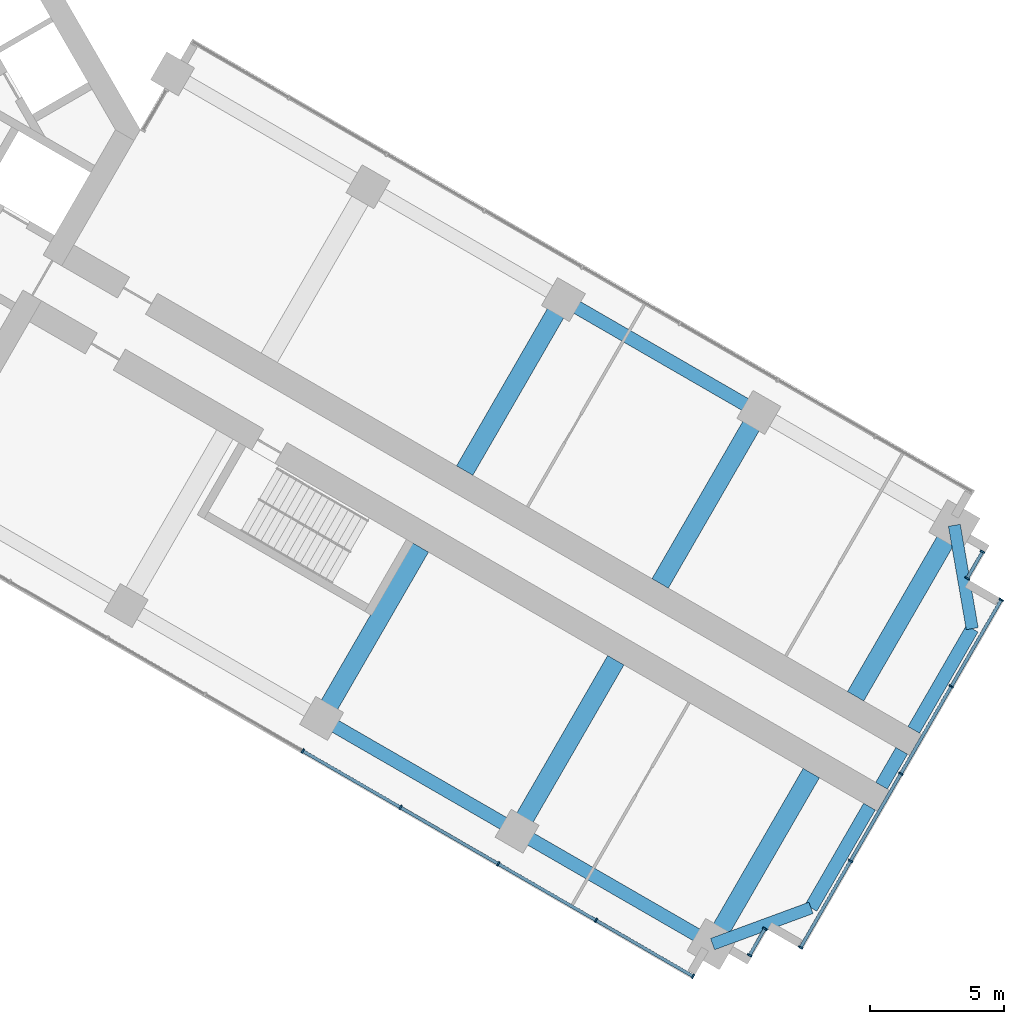
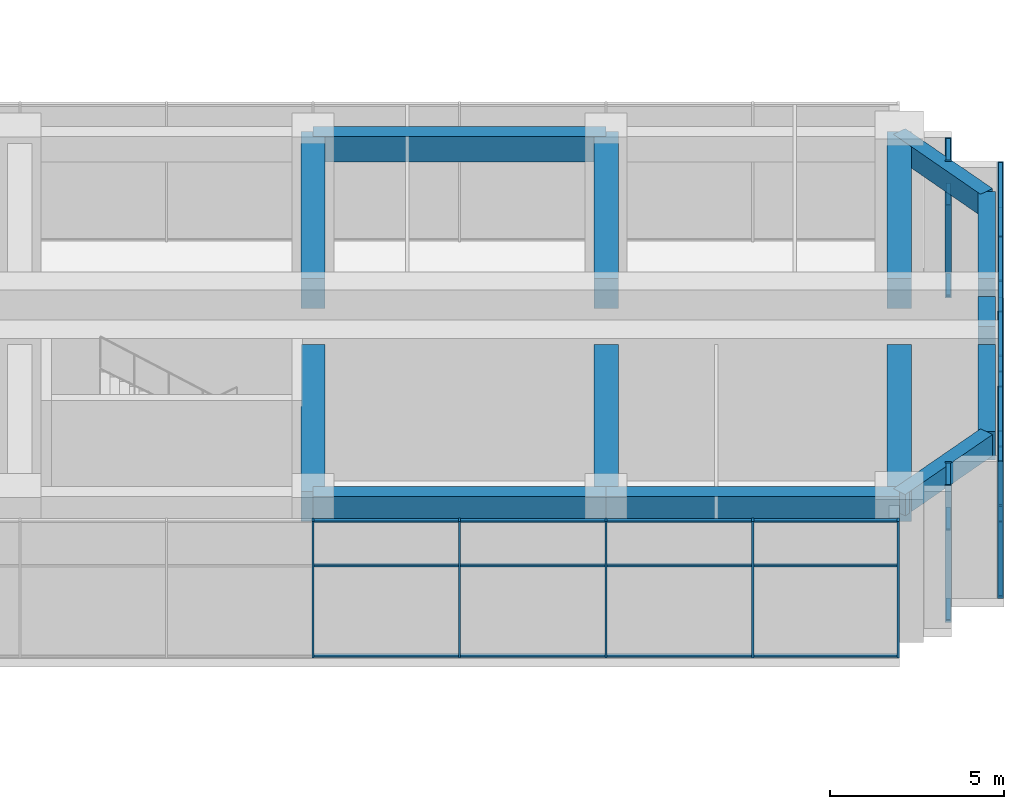
# One storey, part 9 of 20: 44 members, 14 beams, 4 elements without a shape of their own.
"""IFC4 building model written with IfcOpenShell, lengths in metres."""

import ifcopenshell
import ifcopenshell.guid

model = None  # the IFC model being written
_history = None  # IfcOwnerHistory: only IFC2X3 demands one
_inside = {}  # id of a spatial element -> (the spatial element, [elements in it])
_under = {}  # id of a project, library or spatial element -> (it, [spatial elements below it])
_declared = {}  # id of a project -> (the project, [libraries it declares])
_typed = {}  # id of a type object -> (the type object, [elements of that type])
_made_of = {}  # id of a material, layer set ... -> (it, [elements and type objects made of it])


def new_model(schema):
    """Start an empty IFC model of exactly this schema.

    Asked for "IFC4X3", IfcOpenShell would pick the latest addendum, in which some entities
    have other attributes; the version numbers below select the first issue.
    IFC2X3 requires an IfcOwnerHistory on every rooted entity: one is made here for all.
    """
    global model, _history
    if schema == "IFC4X3":
        model = ifcopenshell.file(schema_version=(4, 3, 0, 0))
    else:
        model = ifcopenshell.file(schema=schema)
    _inside.clear()
    _under.clear()
    _declared.clear()
    _typed.clear()
    _made_of.clear()
    _history = None
    if model.schema == "IFC2X3":
        org = make("IfcOrganization", Name="unknown")
        user = make(
            "IfcPersonAndOrganization",
            ThePerson=make("IfcPerson", FamilyName="unknown"),
            TheOrganization=org,
        )
        app = make(
            "IfcApplication",
            ApplicationDeveloper=org,
            Version="unknown",
            ApplicationFullName="unknown",
            ApplicationIdentifier="unknown",
        )
        _history = make(
            "IfcOwnerHistory",
            OwningUser=user,
            OwningApplication=app,
            ChangeAction="ADDED",
            CreationDate=0,
        )
    return model


def make(cls, **values):
    """One entity of the class cls with the attributes given. An attribute that is None is left unset."""
    return model.create_entity(
        cls, **{name: value for name, value in values.items() if value is not None}
    )


def rooted(cls, **values):
    """An entity with a GlobalId (a new one), such as an element, a storey or a relation."""
    return make(cls, GlobalId=ifcopenshell.guid.new(), OwnerHistory=_history, **values)


def si_unit(unit_type, name, prefix=None):
    """IfcSIUnit, for example si_unit("LENGTHUNIT", "METRE", prefix="MILLI")."""
    return make("IfcSIUnit", UnitType=unit_type, Prefix=prefix, Name=name)


def assignment(units):
    """IfcUnitAssignment: the units of a project."""
    return None if units is None else make("IfcUnitAssignment", Units=units)


def point(xyz):
    """IfcCartesianPoint."""
    return None if xyz is None else make("IfcCartesianPoint", Coordinates=xyz)


def direction(xyz):
    """IfcDirection."""
    return None if xyz is None else make("IfcDirection", DirectionRatios=xyz)


def frame(location, z_axis=None, x_axis=None):
    """IfcAxis2Placement3D, a coordinate frame: its origin and axes. An axis left out is left unset."""
    return make(
        "IfcAxis2Placement3D",
        Location=point(location),
        Axis=direction(z_axis),
        RefDirection=direction(x_axis),
    )


def frame_2d(location, x_axis=None):
    """IfcAxis2Placement2D, a coordinate frame in the plane: its origin and x axis."""
    return make(
        "IfcAxis2Placement2D", Location=point(location), RefDirection=direction(x_axis)
    )


def origin():
    """The frame at (0, 0, 0) with its axes left unset."""
    return frame((0.0, 0.0, 0.0))


def origin_2d():
    """The frame at (0, 0) in the plane with its x axis left unset."""
    return frame_2d((0.0, 0.0))


def place(relative_to, where):
    """IfcLocalPlacement: puts the frame where relative to a parent placement (None: the world)."""
    return make(
        "IfcLocalPlacement", PlacementRelTo=relative_to, RelativePlacement=where
    )


def context(
    kind, dimensions, precision=None, world=None, true_north=None, identifier=None
):
    """IfcGeometricRepresentationContext, for example the 3D "Model" context."""
    return make(
        "IfcGeometricRepresentationContext",
        ContextIdentifier=identifier,
        ContextType=kind,
        CoordinateSpaceDimension=dimensions,
        Precision=precision,
        WorldCoordinateSystem=world,
        TrueNorth=true_north,
    )


def subcontext(parent, identifier, kind, view, scale=None):
    """IfcGeometricRepresentationSubContext, for example "Body" below "Model"."""
    return make(
        "IfcGeometricRepresentationSubContext",
        ContextIdentifier=identifier,
        ContextType=kind,
        ParentContext=parent,
        TargetScale=scale,
        TargetView=view,
    )


def project(units=None, contexts=None):
    """IfcProject with its units and contexts."""
    return rooted(
        "IfcProject",
        Name="project",
        RepresentationContexts=contexts,
        UnitsInContext=assignment(units),
    )


def spatial(cls, under=None, at=None, **own):
    """A site, building, storey or space (cls), placed at a placement, below another one or the project."""
    s = rooted(cls, ObjectPlacement=at, **own)
    if under is not None:
        _under.setdefault(under.id(), (under, []))[1].append(s)
    return s


def profile(cls, at=None, kind="AREA", **sizes):
    """A parametric profile (cls). Its sizes go by their IFC names, for example OverallWidth=200.0."""
    return make(cls, ProfileType=kind, Position=at, **sizes)


def rectangle(**sizes):
    """IfcRectangleProfileDef."""
    return profile("IfcRectangleProfileDef", **sizes)


def extrude(swept, where, along, depth):
    """IfcExtrudedAreaSolid: the profile swept, set in the frame where, extruded along a direction by depth."""
    return make(
        "IfcExtrudedAreaSolid",
        SweptArea=swept,
        Position=where,
        ExtrudedDirection=direction(along),
        Depth=depth,
    )


def shape(context_of_items, identifier, shape_type, items):
    """IfcShapeRepresentation: the items that make up one representation, for example the "Body"."""
    return make(
        "IfcShapeRepresentation",
        ContextOfItems=context_of_items,
        RepresentationIdentifier=identifier,
        RepresentationType=shape_type,
        Items=items,
    )


def material(Name=None, Category=None):
    """IfcMaterial."""
    return make("IfcMaterial", Name=Name, Category=Category)


def material_profile(
    of_material, cross_section, Name=None, Category=None, Priority=None
):
    """IfcMaterialProfile: a cross section and its material."""
    return make(
        "IfcMaterialProfile",
        Name=Name,
        Material=of_material,
        Profile=cross_section,
        Priority=Priority,
        Category=Category,
    )


def profile_set(profiles, Name=None, composite=None):
    """IfcMaterialProfileSet."""
    return make(
        "IfcMaterialProfileSet",
        Name=Name,
        MaterialProfiles=profiles,
        CompositeProfile=composite,
    )


def made_of(thing, what):
    """Note that an element or type object is made of a material, layer set ...; save() writes the relation."""
    if what is not None:
        _made_of.setdefault(what.id(), (what, []))[1].append(thing)
    return thing


def type_object(cls, material=None, **own):
    """A type object (cls), such as IfcWallType, which elements share."""
    return made_of(rooted(cls, **own), material)


def element(
    cls,
    number,
    at=None,
    inside=None,
    cuts=None,
    type_object=None,
    material=None,
    context=None,
    identifier="Body",
    shape_type=None,
    held_by="IfcProductDefinitionShape",
    body=None,
    shapes=None,
    **own,
):
    """One element of the class cls, such as IfcWall. Its Tag is "e" and its number.

    at: its placement. inside: the storey or other place that contains it. cuts: it is an
    opening in that element (IfcRelVoidsElement). A single representation is given by context,
    identifier, shape_type and body (its items); several are given by shapes. held_by: the class
    of the entity that holds the representations. save() writes the other relations.
    """
    e = rooted(cls, Tag="e%d" % number, ObjectPlacement=at, **own)
    if body is not None:
        shapes = [shape(context, identifier, shape_type, body)]
    if shapes is not None:
        e.Representation = make(held_by, Representations=shapes)
    if inside is not None:
        _inside.setdefault(inside.id(), (inside, []))[1].append(e)
    if cuts is not None:
        rooted(
            "IfcRelVoidsElement", RelatingBuildingElement=cuts, RelatedOpeningElement=e
        )
    if type_object is not None:
        _typed.setdefault(type_object.id(), (type_object, []))[1].append(e)
    return made_of(e, material)


def aggregate(whole, parts):
    """IfcRelAggregates: a whole, such as a stair, and the parts it consists of."""
    return rooted("IfcRelAggregates", RelatingObject=whole, RelatedObjects=parts)


def save(model, path):
    """Write the relations noted so far, then the file.

    IfcRelAggregates (storeys below a building ...), IfcRelContainedInSpatialStructure (elements
    in a storey), IfcRelDefinesByType, IfcRelAssociatesMaterial and IfcRelDeclares: one each for
    every whole, place, type object, material and project.
    """
    for whole, parts in _under.values():
        aggregate(whole, parts)
    for where, things in _inside.values():
        rooted(
            "IfcRelContainedInSpatialStructure",
            RelatedElements=things,
            RelatingStructure=where,
        )
    for kind, things in _typed.values():
        rooted("IfcRelDefinesByType", RelatedObjects=things, RelatingType=kind)
    for what, things in _made_of.values():
        rooted("IfcRelAssociatesMaterial", RelatedObjects=things, RelatingMaterial=what)
    for by, libraries in _declared.values():
        rooted("IfcRelDeclares", RelatingContext=by, RelatedDefinitions=libraries)
    model.write(path)


model = new_model("IFC4")

# Units and contexts
model_context = context("Model", 3, precision=1e-05, world=origin(), true_north=direction((0.0, 1.0)))
body_context = subcontext(model_context, "Body", "Model", "MODEL_VIEW")
ifc_project = project(units=[si_unit("LENGTHUNIT", "METRE"), si_unit("AREAUNIT", "SQUARE_METRE"), si_unit("VOLUMEUNIT", "CUBIC_METRE"), si_unit("PLANEANGLEUNIT", "RADIAN"), si_unit("MASSUNIT", "GRAM", prefix="KILO")], contexts=[model_context])

# Site, building, storey
site_placement = place(None, origin())
site = spatial("IfcSite", under=ifc_project, at=site_placement, CompositionType="ELEMENT")
building_placement = place(site_placement, origin())
building = spatial("IfcBuilding", under=site, at=building_placement, Name="Impinga Residences", CompositionType="ELEMENT")
storey_placement = place(building_placement, frame((0.0, 0.0, 101.0)))
storey = spatial("IfcBuildingStorey", under=building, at=storey_placement, Name="L24", CompositionType="ELEMENT", Elevation=101.0)

# Beams
ifc_material_1 = material(Name="Concrete C60/75", Category="concrete")
ifc_material_profile_1 = material_profile(ifc_material_1, rectangle(XDim=0.449951171875, YDim=0.75, at=origin_2d()), Name="RC 450x750")
ifc_profile_set_1 = profile_set([ifc_material_profile_1], Name="Concrete C60/75")
beam_type_1 = type_object("IfcBeamType", Name="CB1 450x750 wing end cantilever beam", PredefinedType="BEAM", material=ifc_profile_set_1)
beam_1_placement = place(storey_placement, frame((43.49853515625, -14.721435546875, 4.405029296875), z_axis=(0.170296298948, -0.985392901621, 0.0), x_axis=(0.985392901621, 0.170296298948, 0.0)))
element("IfcBeam", 1, at=beam_1_placement, inside=storey, type_object=beam_type_1, Name="Beam CB1 EB E5-EX level L25", PredefinedType="BEAM", context=body_context, shape_type="SweptSolid", body=[
    extrude(rectangle(XDim=0.449951171875, YDim=0.75, at=origin_2d()), origin(), (0.0, 0.0, 1.0), 3.9052734375),
])
beam_2_placement = place(storey_placement, frame((34.49853515625, -30.31005859375, 4.405029296875), z_axis=(0.938520178725, 0.345224382289, 0.0), x_axis=(-0.345224382289, 0.938520178725, 0.0)))
element("IfcBeam", 2, at=beam_2_placement, inside=storey, type_object=beam_type_1, Name="Beam CB1 EE E5-EX level L25", PredefinedType="BEAM", context=body_context, shape_type="SweptSolid", body=[
    extrude(rectangle(XDim=0.449951171875, YDim=0.75, at=origin_2d()), origin(), (0.0, 0.0, 1.0), 3.905029296875),
])
ifc_material_profile_2 = material_profile(ifc_material_1, rectangle(XDim=0.699951171875, YDim=1.050048828125, at=origin_2d()), Name="RC 700x1050")
ifc_profile_set_2 = profile_set([ifc_material_profile_2], Name="Concrete C60/75")
beam_type_2 = type_object("IfcBeamType", Name="CG1 700x1050 cross girder on a wing bay line", PredefinedType="BEAM", material=ifc_profile_set_2)
for number, where, z_axis, x_axis, name in (
    (3, (25.274169921875, -12.686767578125, 4.2548828125), (0.500008066151, 0.86602074674, 0.0), (-0.86602074674, 0.500008066151, 0.0), "Beam CG1 E3 EC/EA level L25"),
    (4, (32.548828125, -16.88671875, 4.2548828125), (0.500008066151, 0.86602074674, 0.0), (-0.86602074674, 0.500008066151, 0.0), "Beam CG1 E4 EC/EA level L25"),
    (5, (39.823486328125, -21.0869140625, 4.2548828125), (0.499993683172, 0.866029050776, 0.0), (-0.866029050776, 0.499993683172, 0.0), "Beam CG1 E5 EC/EA level L25"),
    (6, (23.624267578125, -15.544677734375, 4.2548828125), (-0.500008066151, -0.86602074674, 0.0), (0.86602074674, -0.500008066151, 0.0), "Beam CG1 E3 EC/EF level L25"),
    (7, (30.89892578125, -19.74462890625, 4.2548828125), (-0.499993683172, -0.866029050776, 0.0), (0.866029050776, -0.499993683172, 0.0), "Beam CG1 E4 EC/EF level L25"),
):
    element("IfcBeam", number, at=place(storey_placement, frame(where, z_axis=z_axis, x_axis=x_axis)), inside=storey, type_object=beam_type_2, Name=name, PredefinedType="BEAM", context=body_context, shape_type="SweptSolid", body=[
        extrude(rectangle(XDim=0.699951171875, YDim=1.050048828125, at=origin_2d()), origin(), (0.0, 0.0, 1.0), 7.35009765625),
    ])
beam_3_placement = place(storey_placement, frame((38.17333984375, -23.94482421875, 4.2548828125), z_axis=(-0.499983153418, -0.866035129944, 0.0), x_axis=(0.866035129944, -0.499983153418, 0.0)))
element("IfcBeam", 8, at=beam_3_placement, inside=storey, type_object=beam_type_2, Name="Beam CG1 E5 EC/EF level L25", PredefinedType="BEAM", context=body_context, shape_type="SweptSolid", body=[
    extrude(rectangle(XDim=0.699951171875, YDim=1.050048828125, at=origin_2d()), origin(), (0.0, 0.0, 1.0), 7.349853515625),
])

# Curtain wall, members
ifc_material_2 = material(Name="Aluminium stick curtain wall", Category="aluminium")
curtain_wall_type = type_object("IfcCurtainWallType", Name="CW2 sky amenity curtain wall", PredefinedType="USERDEFINED", material=ifc_material_2)
curtain_wall_1_placement = place(storey_placement, origin())
curtain_wall_1 = element("IfcCurtainWall", 9, at=curtain_wall_1_placement, inside=storey, type_object=curtain_wall_type, Name="Curtain wall CW2 L24", ObjectType="STICK CURTAIN WALL", PredefinedType="USERDEFINED")
ifc_material_3 = material(Name="Aluminium mullion", Category="aluminium")
ifc_material_profile_3 = material_profile(ifc_material_3, rectangle(XDim=0.06005859375, YDim=0.179931640625, at=origin_2d()), Name="60x180 mullion")
ifc_profile_set_3 = profile_set([ifc_material_profile_3], Name="Aluminium mullion")
member_type_1 = type_object("IfcMemberType", Name="CW2-M mullion 60x180", PredefinedType="MULLION", material=ifc_profile_set_3)
member_1_placement = place(storey_placement, frame((44.5458984375, -15.707275390625, 0.0), z_axis=(0.0, 0.0, 1.0), x_axis=(-0.50000017485, -0.866025302835, 0.0)))
member_1 = element("IfcMember", 10, at=member_1_placement, type_object=member_type_1, Name="CW2 mullion 1", PredefinedType="MULLION", context=body_context, shape_type="SweptSolid", body=[
    extrude(rectangle(XDim=0.06005859375, YDim=0.179931640625, at=origin_2d()), origin(), (0.0, 0.0, 1.0), 4.780029296875),
])
member_2_placement = place(storey_placement, frame((43.975830078125, -16.694580078125, 0.0), z_axis=(0.0, 0.0, 1.0), x_axis=(-0.50000017485, -0.866025302835, 0.0)))
member_2 = element("IfcMember", 11, at=member_2_placement, type_object=member_type_1, Name="CW2 mullion 2", PredefinedType="MULLION", context=body_context, shape_type="SweptSolid", body=[
    extrude(rectangle(XDim=0.06005859375, YDim=0.179931640625, at=origin_2d()), origin(), (0.0, 0.0, 1.0), 4.780029296875),
])

curtain_wall_2_placement = place(storey_placement, origin())
curtain_wall_2 = element("IfcCurtainWall", 12, at=curtain_wall_2_placement, inside=storey, type_object=curtain_wall_type, Name="Curtain wall CW2 L24", ObjectType="STICK CURTAIN WALL", PredefinedType="USERDEFINED")
member_3_placement = place(storey_placement, frame((45.244873046875, -17.49658203125, 0.0), z_axis=(0.0, 0.0, 1.0), x_axis=(-0.500000001632, -0.866025402842, 0.0)))
member_3 = element("IfcMember", 13, at=member_3_placement, type_object=member_type_1, Name="CW2 mullion 1", PredefinedType="MULLION", context=body_context, shape_type="SweptSolid", body=[
    extrude(rectangle(XDim=0.06005859375, YDim=0.179931640625, at=origin_2d()), origin(), (0.0, 0.0, 1.0), 4.780029296875),
])
member_4_placement = place(storey_placement, frame((43.385009765625, -20.71826171875, 0.0), z_axis=(0.0, 0.0, 1.0), x_axis=(-0.500000001632, -0.866025402842, 0.0)))
member_4 = element("IfcMember", 14, at=member_4_placement, type_object=member_type_1, Name="CW2 mullion 2", PredefinedType="MULLION", context=body_context, shape_type="SweptSolid", body=[
    extrude(rectangle(XDim=0.06005859375, YDim=0.179931640625, at=origin_2d()), origin(), (0.0, 0.0, 1.0), 4.780029296875),
])
member_5_placement = place(storey_placement, frame((41.510009765625, -23.9658203125, 0.0), z_axis=(0.0, 0.0, 1.0), x_axis=(-0.500000001632, -0.866025402842, 0.0)))
member_5 = element("IfcMember", 15, at=member_5_placement, type_object=member_type_1, Name="CW2 mullion 3", PredefinedType="MULLION", context=body_context, shape_type="SweptSolid", body=[
    extrude(rectangle(XDim=0.06005859375, YDim=0.179931640625, at=origin_2d()), origin(), (0.0, 0.0, 1.0), 4.780029296875),
])
member_6_placement = place(storey_placement, frame((39.635009765625, -27.21337890625, 0.0), z_axis=(0.0, 0.0, 1.0), x_axis=(-0.500000001632, -0.866025402842, 0.0)))
member_6 = element("IfcMember", 16, at=member_6_placement, type_object=member_type_1, Name="CW2 mullion 4", PredefinedType="MULLION", context=body_context, shape_type="SweptSolid", body=[
    extrude(rectangle(XDim=0.06005859375, YDim=0.179931640625, at=origin_2d()), origin(), (0.0, 0.0, 1.0), 4.780029296875),
])
member_7_placement = place(storey_placement, frame((37.77490234375, -30.43505859375, 0.0), z_axis=(0.0, 0.0, 1.0), x_axis=(-0.500000001632, -0.866025402842, 0.0)))
member_7 = element("IfcMember", 17, at=member_7_placement, type_object=member_type_1, Name="CW2 mullion 5", PredefinedType="MULLION", context=body_context, shape_type="SweptSolid", body=[
    extrude(rectangle(XDim=0.06005859375, YDim=0.179931640625, at=origin_2d()), origin(), (0.0, 0.0, 1.0), 4.780029296875),
])

curtain_wall_3_placement = place(storey_placement, origin())
curtain_wall_3 = element("IfcCurtainWall", 18, at=curtain_wall_3_placement, inside=storey, type_object=curtain_wall_type, Name="Curtain wall CW2 L24", ObjectType="STICK CURTAIN WALL", PredefinedType="USERDEFINED")
member_8_placement = place(storey_placement, frame((36.44580078125, -29.737060546875, 0.0), z_axis=(0.0, 0.0, 1.0), x_axis=(-0.499999813995, -0.866025511175, 0.0)))
member_8 = element("IfcMember", 19, at=member_8_placement, type_object=member_type_1, Name="CW2 mullion 1", PredefinedType="MULLION", context=body_context, shape_type="SweptSolid", body=[
    extrude(rectangle(XDim=0.06005859375, YDim=0.179931640625, at=origin_2d()), origin(), (0.0, 0.0, 1.0), 4.780029296875),
])
member_9_placement = place(storey_placement, frame((35.8759765625, -30.72412109375, 0.0), z_axis=(0.0, 0.0, 1.0), x_axis=(-0.499999813995, -0.866025511175, 0.0)))
member_9 = element("IfcMember", 20, at=member_9_placement, type_object=member_type_1, Name="CW2 mullion 2", PredefinedType="MULLION", context=body_context, shape_type="SweptSolid", body=[
    extrude(rectangle(XDim=0.06005859375, YDim=0.179931640625, at=origin_2d()), origin(), (0.0, 0.0, 1.0), 4.780029296875),
])

curtain_wall_4_placement = place(storey_placement, origin())
curtain_wall_4 = element("IfcCurtainWall", 21, at=curtain_wall_4_placement, inside=storey, type_object=curtain_wall_type, Name="Curtain wall CW2 L24", ObjectType="STICK CURTAIN WALL", PredefinedType="USERDEFINED")
member_10_placement = place(storey_placement, frame((33.7724609375, -31.50732421875, 0.0), z_axis=(0.0, 0.0, 1.0), x_axis=(-0.866025407005, 0.499999994423, 0.0)))
member_10 = element("IfcMember", 22, at=member_10_placement, type_object=member_type_1, Name="CW2 mullion 1", PredefinedType="MULLION", context=body_context, shape_type="SweptSolid", body=[
    extrude(rectangle(XDim=0.06005859375, YDim=0.179931640625, at=origin_2d()), origin(), (0.0, 0.0, 1.0), 4.780029296875),
])
member_11_placement = place(storey_placement, frame((30.1611328125, -29.42236328125, 0.0), z_axis=(0.0, 0.0, 1.0), x_axis=(-0.866025407005, 0.499999994423, 0.0)))
member_11 = element("IfcMember", 23, at=member_11_placement, type_object=member_type_1, Name="CW2 mullion 2", PredefinedType="MULLION", context=body_context, shape_type="SweptSolid", body=[
    extrude(rectangle(XDim=0.06005859375, YDim=0.179931640625, at=origin_2d()), origin(), (0.0, 0.0, 1.0), 4.780029296875),
])
member_12_placement = place(storey_placement, frame((26.52392578125, -27.322509765625, 0.0), z_axis=(0.0, 0.0, 1.0), x_axis=(-0.866025407005, 0.499999994423, 0.0)))
member_12 = element("IfcMember", 24, at=member_12_placement, type_object=member_type_1, Name="CW2 mullion 3", PredefinedType="MULLION", context=body_context, shape_type="SweptSolid", body=[
    extrude(rectangle(XDim=0.06005859375, YDim=0.179931640625, at=origin_2d()), origin(), (0.0, 0.0, 1.0), 4.780029296875),
])
member_13_placement = place(storey_placement, frame((22.886474609375, -25.222412109375, 0.0), z_axis=(0.0, 0.0, 1.0), x_axis=(-0.866025407005, 0.499999994423, 0.0)))
member_13 = element("IfcMember", 25, at=member_13_placement, type_object=member_type_1, Name="CW2 mullion 4", PredefinedType="MULLION", context=body_context, shape_type="SweptSolid", body=[
    extrude(rectangle(XDim=0.06005859375, YDim=0.179931640625, at=origin_2d()), origin(), (0.0, 0.0, 1.0), 4.780029296875),
])
member_14_placement = place(storey_placement, frame((19.249267578125, -23.122314453125, 0.0), z_axis=(0.0, 0.0, 1.0), x_axis=(-0.866025407005, 0.499999994423, 0.0)))
member_14 = element("IfcMember", 26, at=member_14_placement, type_object=member_type_1, Name="CW2 mullion 5", PredefinedType="MULLION", context=body_context, shape_type="SweptSolid", body=[
    extrude(rectangle(XDim=0.06005859375, YDim=0.179931640625, at=origin_2d()), origin(), (0.0, 0.0, 1.0), 4.780029296875),
])

# Member
ifc_material_4 = material(Name="Aluminium transom", Category="aluminium")
ifc_material_profile_4 = material_profile(ifc_material_4, rectangle(XDim=0.06005859375, YDim=0.1201171875, at=origin_2d()), Name="60x120 transom")
ifc_profile_set_4 = profile_set([ifc_material_profile_4], Name="Aluminium transom")
member_type_2 = type_object("IfcMemberType", Name="CW2-T transom 60x120", PredefinedType="USERDEFINED", material=ifc_profile_set_4)
member_15_placement = place(storey_placement, frame((44.531005859375, -15.7333984375, 0.030029296875), z_axis=(-0.500029011134, -0.866008653551, 0.0), x_axis=(0.0, 0.0, 1.0)))
member_15 = element("IfcMember", 27, at=member_15_placement, type_object=member_type_2, Name="CW2 transom 1.1", ObjectType="TRANSOM", PredefinedType="USERDEFINED", context=body_context, shape_type="SweptSolid", body=[
    extrude(rectangle(XDim=0.06005859375, YDim=0.1201171875, at=origin_2d()), origin(), (0.0, 0.0, 1.0), 1.080078125),
])

member_16_placement = place(storey_placement, frame((44.531005859375, -15.7333984375, 3.199951171875), z_axis=(-0.500029011134, -0.866008653551, 0.0), x_axis=(0.0, 0.0, 1.0)))
member_16 = element("IfcMember", 28, at=member_16_placement, type_object=member_type_2, Name="CW2 transom 1.2", ObjectType="TRANSOM", PredefinedType="USERDEFINED", context=body_context, shape_type="SweptSolid", body=[
    extrude(rectangle(XDim=0.06005859375, YDim=0.1201171875, at=origin_2d()), origin(), (0.0, 0.0, 1.0), 1.080078125),
])

member_17_placement = place(storey_placement, frame((44.531005859375, -15.7333984375, 4.75), z_axis=(-0.500029011134, -0.866008653551, 0.0), x_axis=(0.0, 0.0, 1.0)))
member_17 = element("IfcMember", 29, at=member_17_placement, type_object=member_type_2, Name="CW2 transom 1.3", ObjectType="TRANSOM", PredefinedType="USERDEFINED", context=body_context, shape_type="SweptSolid", body=[
    extrude(rectangle(XDim=0.06005859375, YDim=0.1201171875, at=origin_2d()), origin(), (0.0, 0.0, 1.0), 1.080078125),
])

aggregate(curtain_wall_1, [member_1, member_2, member_15, member_16, member_17])

member_18_placement = place(storey_placement, frame((45.22998046875, -17.5224609375, 0.030029296875), z_axis=(-0.500013080017, -0.866017851902, 0.0), x_axis=(0.0, 0.0, 1.0)))
member_18 = element("IfcMember", 30, at=member_18_placement, type_object=member_type_2, Name="CW2 transom 1.1", ObjectType="TRANSOM", PredefinedType="USERDEFINED", context=body_context, shape_type="SweptSolid", body=[
    extrude(rectangle(XDim=0.06005859375, YDim=0.1201171875, at=origin_2d()), origin(), (0.0, 0.0, 1.0), 3.66015625),
])

member_19_placement = place(storey_placement, frame((45.22998046875, -17.5224609375, 3.199951171875), z_axis=(-0.500013080017, -0.866017851902, 0.0), x_axis=(0.0, 0.0, 1.0)))
member_19 = element("IfcMember", 31, at=member_19_placement, type_object=member_type_2, Name="CW2 transom 1.2", ObjectType="TRANSOM", PredefinedType="USERDEFINED", context=body_context, shape_type="SweptSolid", body=[
    extrude(rectangle(XDim=0.06005859375, YDim=0.1201171875, at=origin_2d()), origin(), (0.0, 0.0, 1.0), 3.66015625),
])

member_20_placement = place(storey_placement, frame((45.22998046875, -17.5224609375, 4.75), z_axis=(-0.500013080017, -0.866017851902, 0.0), x_axis=(0.0, 0.0, 1.0)))
member_20 = element("IfcMember", 32, at=member_20_placement, type_object=member_type_2, Name="CW2 transom 1.3", ObjectType="TRANSOM", PredefinedType="USERDEFINED", context=body_context, shape_type="SweptSolid", body=[
    extrude(rectangle(XDim=0.06005859375, YDim=0.1201171875, at=origin_2d()), origin(), (0.0, 0.0, 1.0), 3.66015625),
])

member_21_placement = place(storey_placement, frame((43.369873046875, -20.744140625, 0.030029296875), z_axis=(-0.500003092839, -0.866023618125, 0.0), x_axis=(0.0, 0.0, 1.0)))
member_21 = element("IfcMember", 33, at=member_21_placement, type_object=member_type_2, Name="CW2 transom 2.1", ObjectType="TRANSOM", PredefinedType="USERDEFINED", context=body_context, shape_type="SweptSolid", body=[
    extrude(rectangle(XDim=0.06005859375, YDim=0.1201171875, at=origin_2d()), origin(), (0.0, 0.0, 1.0), 3.68994140625),
])

member_22_placement = place(storey_placement, frame((43.369873046875, -20.744140625, 3.199951171875), z_axis=(-0.500003092839, -0.866023618125, 0.0), x_axis=(0.0, 0.0, 1.0)))
member_22 = element("IfcMember", 34, at=member_22_placement, type_object=member_type_2, Name="CW2 transom 2.2", ObjectType="TRANSOM", PredefinedType="USERDEFINED", context=body_context, shape_type="SweptSolid", body=[
    extrude(rectangle(XDim=0.06005859375, YDim=0.1201171875, at=origin_2d()), origin(), (0.0, 0.0, 1.0), 3.68994140625),
])

member_23_placement = place(storey_placement, frame((43.369873046875, -20.744140625, 4.75), z_axis=(-0.500003092839, -0.866023618125, 0.0), x_axis=(0.0, 0.0, 1.0)))
member_23 = element("IfcMember", 35, at=member_23_placement, type_object=member_type_2, Name="CW2 transom 2.3", ObjectType="TRANSOM", PredefinedType="USERDEFINED", context=body_context, shape_type="SweptSolid", body=[
    extrude(rectangle(XDim=0.06005859375, YDim=0.1201171875, at=origin_2d()), origin(), (0.0, 0.0, 1.0), 3.68994140625),
])

member_24_placement = place(storey_placement, frame((41.494873046875, -23.99169921875, 0.030029296875), z_axis=(-0.499974444137, -0.866040157966, 0.0), x_axis=(0.0, 0.0, 1.0)))
member_24 = element("IfcMember", 36, at=member_24_placement, type_object=member_type_2, Name="CW2 transom 3.1", ObjectType="TRANSOM", PredefinedType="USERDEFINED", context=body_context, shape_type="SweptSolid", body=[
    extrude(rectangle(XDim=0.06005859375, YDim=0.1201171875, at=origin_2d()), origin(), (0.0, 0.0, 1.0), 3.690185546875),
])

member_25_placement = place(storey_placement, frame((41.494873046875, -23.99169921875, 3.199951171875), z_axis=(-0.499974444137, -0.866040157966, 0.0), x_axis=(0.0, 0.0, 1.0)))
member_25 = element("IfcMember", 37, at=member_25_placement, type_object=member_type_2, Name="CW2 transom 3.2", ObjectType="TRANSOM", PredefinedType="USERDEFINED", context=body_context, shape_type="SweptSolid", body=[
    extrude(rectangle(XDim=0.06005859375, YDim=0.1201171875, at=origin_2d()), origin(), (0.0, 0.0, 1.0), 3.690185546875),
])

member_26_placement = place(storey_placement, frame((41.494873046875, -23.99169921875, 4.75), z_axis=(-0.499974444137, -0.866040157966, 0.0), x_axis=(0.0, 0.0, 1.0)))
member_26 = element("IfcMember", 38, at=member_26_placement, type_object=member_type_2, Name="CW2 transom 3.3", ObjectType="TRANSOM", PredefinedType="USERDEFINED", context=body_context, shape_type="SweptSolid", body=[
    extrude(rectangle(XDim=0.06005859375, YDim=0.1201171875, at=origin_2d()), origin(), (0.0, 0.0, 1.0), 3.690185546875),
])

member_27_placement = place(storey_placement, frame((39.619873046875, -27.2392578125, 0.030029296875), z_axis=(-0.499963050397, -0.866046735597, 0.0), x_axis=(0.0, 0.0, 1.0)))
member_27 = element("IfcMember", 39, at=member_27_placement, type_object=member_type_2, Name="CW2 transom 4.1", ObjectType="TRANSOM", PredefinedType="USERDEFINED", context=body_context, shape_type="SweptSolid", body=[
    extrude(rectangle(XDim=0.06005859375, YDim=0.1201171875, at=origin_2d()), origin(), (0.0, 0.0, 1.0), 3.659912109375),
])

member_28_placement = place(storey_placement, frame((39.619873046875, -27.2392578125, 3.199951171875), z_axis=(-0.499963050397, -0.866046735597, 0.0), x_axis=(0.0, 0.0, 1.0)))
member_28 = element("IfcMember", 40, at=member_28_placement, type_object=member_type_2, Name="CW2 transom 4.2", ObjectType="TRANSOM", PredefinedType="USERDEFINED", context=body_context, shape_type="SweptSolid", body=[
    extrude(rectangle(XDim=0.06005859375, YDim=0.1201171875, at=origin_2d()), origin(), (0.0, 0.0, 1.0), 3.659912109375),
])

member_29_placement = place(storey_placement, frame((39.619873046875, -27.2392578125, 4.75), z_axis=(-0.499963050397, -0.866046735597, 0.0), x_axis=(0.0, 0.0, 1.0)))
member_29 = element("IfcMember", 41, at=member_29_placement, type_object=member_type_2, Name="CW2 transom 4.3", ObjectType="TRANSOM", PredefinedType="USERDEFINED", context=body_context, shape_type="SweptSolid", body=[
    extrude(rectangle(XDim=0.06005859375, YDim=0.1201171875, at=origin_2d()), origin(), (0.0, 0.0, 1.0), 3.659912109375),
])

aggregate(curtain_wall_2, [member_3, member_4, member_5, member_6, member_7, member_18, member_19, member_20, member_21, member_22, member_23, member_24, member_25, member_26, member_27, member_28, member_29])

member_30_placement = place(storey_placement, frame((36.430908203125, -29.762939453125, 0.030029296875), z_axis=(-0.500029011134, -0.866008653551, 0.0), x_axis=(0.0, 0.0, 1.0)))
member_30 = element("IfcMember", 42, at=member_30_placement, type_object=member_type_2, Name="CW2 transom 1.1", ObjectType="TRANSOM", PredefinedType="USERDEFINED", context=body_context, shape_type="SweptSolid", body=[
    extrude(rectangle(XDim=0.06005859375, YDim=0.1201171875, at=origin_2d()), origin(), (0.0, 0.0, 1.0), 1.080078125),
])

member_31_placement = place(storey_placement, frame((36.430908203125, -29.762939453125, 3.199951171875), z_axis=(-0.500029011134, -0.866008653551, 0.0), x_axis=(0.0, 0.0, 1.0)))
member_31 = element("IfcMember", 43, at=member_31_placement, type_object=member_type_2, Name="CW2 transom 1.2", ObjectType="TRANSOM", PredefinedType="USERDEFINED", context=body_context, shape_type="SweptSolid", body=[
    extrude(rectangle(XDim=0.06005859375, YDim=0.1201171875, at=origin_2d()), origin(), (0.0, 0.0, 1.0), 1.080078125),
])

member_32_placement = place(storey_placement, frame((36.430908203125, -29.762939453125, 4.75), z_axis=(-0.500029011134, -0.866008653551, 0.0), x_axis=(0.0, 0.0, 1.0)))
member_32 = element("IfcMember", 44, at=member_32_placement, type_object=member_type_2, Name="CW2 transom 1.3", ObjectType="TRANSOM", PredefinedType="USERDEFINED", context=body_context, shape_type="SweptSolid", body=[
    extrude(rectangle(XDim=0.06005859375, YDim=0.1201171875, at=origin_2d()), origin(), (0.0, 0.0, 1.0), 1.080078125),
])

aggregate(curtain_wall_3, [member_8, member_9, member_30, member_31, member_32])

member_33_placement = place(storey_placement, frame((33.74658203125, -31.492431640625, 0.030029296875), z_axis=(-0.866045128991, 0.499965833383, 0.0), x_axis=(0.0, 0.0, 1.0)))
member_33 = element("IfcMember", 45, at=member_33_placement, type_object=member_type_2, Name="CW2 transom 1.1", ObjectType="TRANSOM", PredefinedType="USERDEFINED", context=body_context, shape_type="SweptSolid", body=[
    extrude(rectangle(XDim=0.06005859375, YDim=0.1201171875, at=origin_2d()), origin(), (0.0, 0.0, 1.0), 4.110107421875),
])

member_34_placement = place(storey_placement, frame((33.74658203125, -31.492431640625, 3.199951171875), z_axis=(-0.866045128991, 0.499965833383, 0.0), x_axis=(0.0, 0.0, 1.0)))
member_34 = element("IfcMember", 46, at=member_34_placement, type_object=member_type_2, Name="CW2 transom 1.2", ObjectType="TRANSOM", PredefinedType="USERDEFINED", context=body_context, shape_type="SweptSolid", body=[
    extrude(rectangle(XDim=0.06005859375, YDim=0.1201171875, at=origin_2d()), origin(), (0.0, 0.0, 1.0), 4.110107421875),
])

member_35_placement = place(storey_placement, frame((33.74658203125, -31.492431640625, 4.75), z_axis=(-0.866045128991, 0.499965833383, 0.0), x_axis=(0.0, 0.0, 1.0)))
member_35 = element("IfcMember", 47, at=member_35_placement, type_object=member_type_2, Name="CW2 transom 1.3", ObjectType="TRANSOM", PredefinedType="USERDEFINED", context=body_context, shape_type="SweptSolid", body=[
    extrude(rectangle(XDim=0.06005859375, YDim=0.1201171875, at=origin_2d()), origin(), (0.0, 0.0, 1.0), 4.110107421875),
])

member_36_placement = place(storey_placement, frame((30.13525390625, -29.407470703125, 0.030029296875), z_axis=(-0.866024536972, 0.500001501361, 0.0), x_axis=(0.0, 0.0, 1.0)))
member_36 = element("IfcMember", 48, at=member_36_placement, type_object=member_type_2, Name="CW2 transom 2.1", ObjectType="TRANSOM", PredefinedType="USERDEFINED", context=body_context, shape_type="SweptSolid", body=[
    extrude(rectangle(XDim=0.06005859375, YDim=0.1201171875, at=origin_2d()), origin(), (0.0, 0.0, 1.0), 4.14013671875),
])

member_37_placement = place(storey_placement, frame((30.13525390625, -29.407470703125, 3.199951171875), z_axis=(-0.866024536972, 0.500001501361, 0.0), x_axis=(0.0, 0.0, 1.0)))
member_37 = element("IfcMember", 49, at=member_37_placement, type_object=member_type_2, Name="CW2 transom 2.2", ObjectType="TRANSOM", PredefinedType="USERDEFINED", context=body_context, shape_type="SweptSolid", body=[
    extrude(rectangle(XDim=0.06005859375, YDim=0.1201171875, at=origin_2d()), origin(), (0.0, 0.0, 1.0), 4.14013671875),
])

member_38_placement = place(storey_placement, frame((30.13525390625, -29.407470703125, 4.75), z_axis=(-0.866024536972, 0.500001501361, 0.0), x_axis=(0.0, 0.0, 1.0)))
member_38 = element("IfcMember", 50, at=member_38_placement, type_object=member_type_2, Name="CW2 transom 2.3", ObjectType="TRANSOM", PredefinedType="USERDEFINED", context=body_context, shape_type="SweptSolid", body=[
    extrude(rectangle(XDim=0.06005859375, YDim=0.1201171875, at=origin_2d()), origin(), (0.0, 0.0, 1.0), 4.14013671875),
])

member_39_placement = place(storey_placement, frame((26.497802734375, -27.307373046875, 0.030029296875), z_axis=(-0.86603532975, 0.499982807329, 0.0), x_axis=(0.0, 0.0, 1.0)))
member_39 = element("IfcMember", 51, at=member_39_placement, type_object=member_type_2, Name="CW2 transom 3.1", ObjectType="TRANSOM", PredefinedType="USERDEFINED", context=body_context, shape_type="SweptSolid", body=[
    extrude(rectangle(XDim=0.06005859375, YDim=0.1201171875, at=origin_2d()), origin(), (0.0, 0.0, 1.0), 4.139892578125),
])

member_40_placement = place(storey_placement, frame((26.497802734375, -27.307373046875, 3.199951171875), z_axis=(-0.86603532975, 0.499982807329, 0.0), x_axis=(0.0, 0.0, 1.0)))
member_40 = element("IfcMember", 52, at=member_40_placement, type_object=member_type_2, Name="CW2 transom 3.2", ObjectType="TRANSOM", PredefinedType="USERDEFINED", context=body_context, shape_type="SweptSolid", body=[
    extrude(rectangle(XDim=0.06005859375, YDim=0.1201171875, at=origin_2d()), origin(), (0.0, 0.0, 1.0), 4.139892578125),
])

member_41_placement = place(storey_placement, frame((26.497802734375, -27.307373046875, 4.75), z_axis=(-0.86603532975, 0.499982807329, 0.0), x_axis=(0.0, 0.0, 1.0)))
member_41 = element("IfcMember", 53, at=member_41_placement, type_object=member_type_2, Name="CW2 transom 3.3", ObjectType="TRANSOM", PredefinedType="USERDEFINED", context=body_context, shape_type="SweptSolid", body=[
    extrude(rectangle(XDim=0.06005859375, YDim=0.1201171875, at=origin_2d()), origin(), (0.0, 0.0, 1.0), 4.139892578125),
])

member_42_placement = place(storey_placement, frame((22.860595703125, -25.20751953125, 0.030029296875), z_axis=(-0.866024536972, 0.500001501361, 0.0), x_axis=(0.0, 0.0, 1.0)))
member_42 = element("IfcMember", 54, at=member_42_placement, type_object=member_type_2, Name="CW2 transom 4.1", ObjectType="TRANSOM", PredefinedType="USERDEFINED", context=body_context, shape_type="SweptSolid", body=[
    extrude(rectangle(XDim=0.06005859375, YDim=0.1201171875, at=origin_2d()), origin(), (0.0, 0.0, 1.0), 4.14013671875),
])

member_43_placement = place(storey_placement, frame((22.860595703125, -25.20751953125, 3.199951171875), z_axis=(-0.866024536972, 0.500001501361, 0.0), x_axis=(0.0, 0.0, 1.0)))
member_43 = element("IfcMember", 55, at=member_43_placement, type_object=member_type_2, Name="CW2 transom 4.2", ObjectType="TRANSOM", PredefinedType="USERDEFINED", context=body_context, shape_type="SweptSolid", body=[
    extrude(rectangle(XDim=0.06005859375, YDim=0.1201171875, at=origin_2d()), origin(), (0.0, 0.0, 1.0), 4.14013671875),
])

member_44_placement = place(storey_placement, frame((22.860595703125, -25.20751953125, 4.75), z_axis=(-0.866024536972, 0.500001501361, 0.0), x_axis=(0.0, 0.0, 1.0)))
member_44 = element("IfcMember", 56, at=member_44_placement, type_object=member_type_2, Name="CW2 transom 4.3", ObjectType="TRANSOM", PredefinedType="USERDEFINED", context=body_context, shape_type="SweptSolid", body=[
    extrude(rectangle(XDim=0.06005859375, YDim=0.1201171875, at=origin_2d()), origin(), (0.0, 0.0, 1.0), 4.14013671875),
])

aggregate(curtain_wall_4, [member_10, member_11, member_12, member_13, member_14, member_33, member_34, member_35, member_36, member_37, member_38, member_39, member_40, member_41, member_42, member_43, member_44])

# Beams
ifc_material_profile_5 = material_profile(ifc_material_1, rectangle(XDim=0.5, YDim=1.0, at=origin_2d()), Name="RC 500x1000")
ifc_profile_set_5 = profile_set([ifc_material_profile_5], Name="Concrete C60/75")
beam_type_3 = type_object("IfcBeamType", Name="EB1 500x1000 wing end beam", PredefinedType="BEAM", material=ifc_profile_set_5)
beam_4_placement = place(storey_placement, frame((44.16357421875, -18.569580078125, 4.280029296875), z_axis=(-0.499996127374, -0.866027639635, 0.0), x_axis=(0.866027639635, -0.499996127374, 0.0)))
element("IfcBeam", 57, at=beam_4_placement, inside=storey, type_object=beam_type_3, Name="Beam EB1 EX4 level L25", PredefinedType="BEAM", context=body_context, shape_type="SweptSolid", body=[
    extrude(rectangle(XDim=0.5, YDim=1.0, at=origin_2d()), origin(), (0.0, 0.0, 1.0), 4.35009765625),
])
beam_5_placement = place(storey_placement, frame((41.53857421875, -23.1162109375, 4.280029296875), z_axis=(-0.499990139034, -0.866031096941, 0.0), x_axis=(0.866031096941, -0.499990139034, 0.0)))
element("IfcBeam", 58, at=beam_5_placement, inside=storey, type_object=beam_type_3, Name="Beam EB1 EX4 level L25", PredefinedType="BEAM", context=body_context, shape_type="SweptSolid", body=[
    extrude(rectangle(XDim=0.5, YDim=1.0, at=origin_2d()), origin(), (0.0, 0.0, 1.0), 1.5),
])
beam_6_placement = place(storey_placement, frame((40.338623046875, -25.19482421875, 4.280029296875), z_axis=(-0.500020430026, -0.866013608182, 0.0), x_axis=(0.866013608182, -0.500020430026, 0.0)))
element("IfcBeam", 59, at=beam_6_placement, inside=storey, type_object=beam_type_3, Name="Beam EB1 EX4 level L25", PredefinedType="BEAM", context=body_context, shape_type="SweptSolid", body=[
    extrude(rectangle(XDim=0.5, YDim=1.0, at=origin_2d()), origin(), (0.0, 0.0, 1.0), 4.349853515625),
])
ifc_material_profile_6 = material_profile(ifc_material_1, rectangle(XDim=0.5, YDim=0.89990234375, at=origin_2d()), Name="RC 500x900")
ifc_profile_set_6 = profile_set([ifc_material_profile_6], Name="Concrete C60/75")
beam_type_4 = type_object("IfcBeamType", Name="SB1 500x900 perimeter spandrel beam", PredefinedType="SPANDREL", material=ifc_profile_set_6)
beam_7_placement = place(storey_placement, frame((28.94921875, -6.321533203125, 4.330078125), z_axis=(0.86602925447, -0.499993330357, 0.0), x_axis=(0.499993330357, 0.86602925447, 0.0)))
element("IfcBeam", 60, at=beam_7_placement, inside=storey, type_object=beam_type_4, Name="Beam SB1 EA E3-E4 level L25", PredefinedType="SPANDREL", context=body_context, shape_type="SweptSolid", body=[
    extrude(rectangle(XDim=0.5, YDim=0.89990234375, at=origin_2d()), origin(), (0.0, 0.0, 1.0), 8.39990234375),
])
beam_8_placement = place(storey_placement, frame((19.94921875, -21.909912109375, 4.330078125), z_axis=(0.866016669275, -0.500015128309, 0.0), x_axis=(0.500015128309, 0.866016669275, 0.0)))
element("IfcBeam", 61, at=beam_8_placement, inside=storey, type_object=beam_type_4, Name="Beam SB1 EF E3-E4 level L25", PredefinedType="SPANDREL", context=body_context, shape_type="SweptSolid", body=[
    extrude(rectangle(XDim=0.5, YDim=0.89990234375, at=origin_2d()), origin(), (0.0, 0.0, 1.0), 8.400146484375),
])
beam_9_placement = place(storey_placement, frame((27.223876953125, -26.110107421875, 4.330078125), z_axis=(0.86602925447, -0.499993330357, 0.0), x_axis=(0.499993330357, 0.86602925447, 0.0)))
element("IfcBeam", 62, at=beam_9_placement, inside=storey, type_object=beam_type_4, Name="Beam SB1 EF E4-E5 level L25", PredefinedType="SPANDREL", context=body_context, shape_type="SweptSolid", body=[
    extrude(rectangle(XDim=0.5, YDim=0.89990234375, at=origin_2d()), origin(), (0.0, 0.0, 1.0), 8.39990234375),
])

save(model, "model.ifc")
